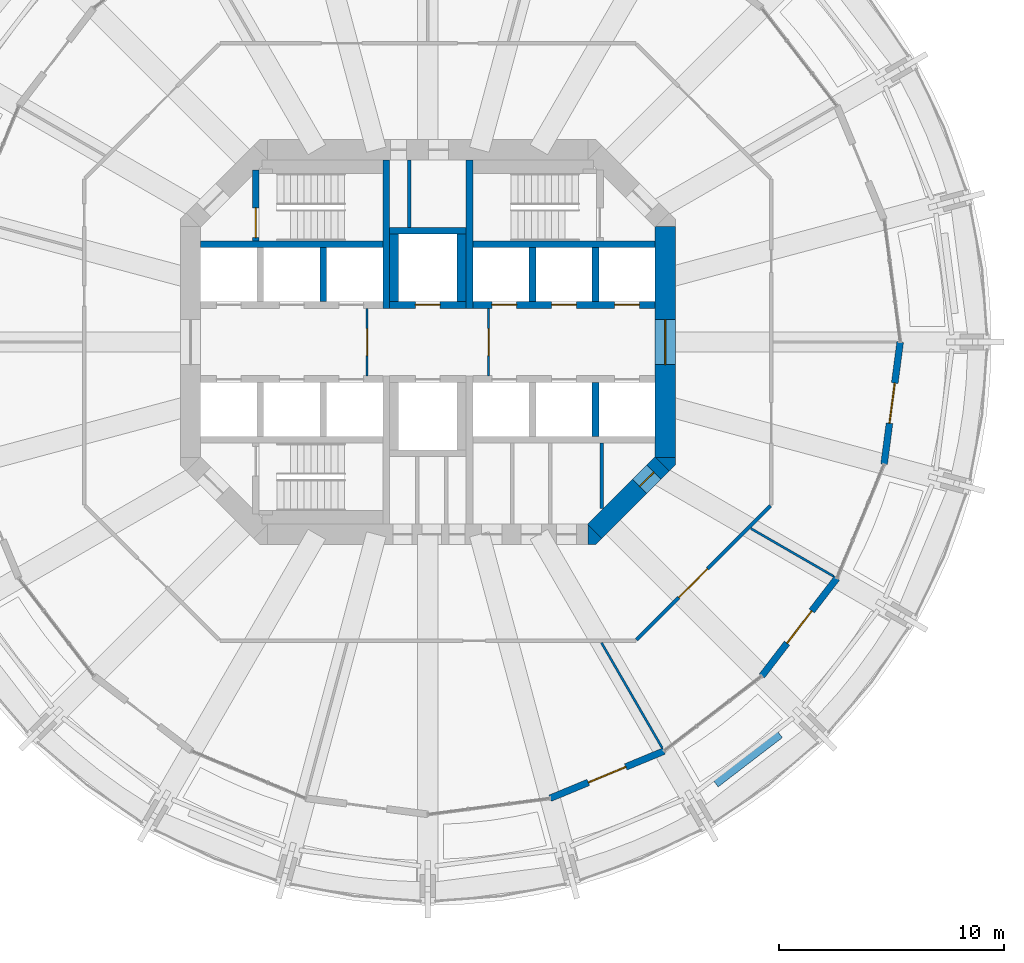
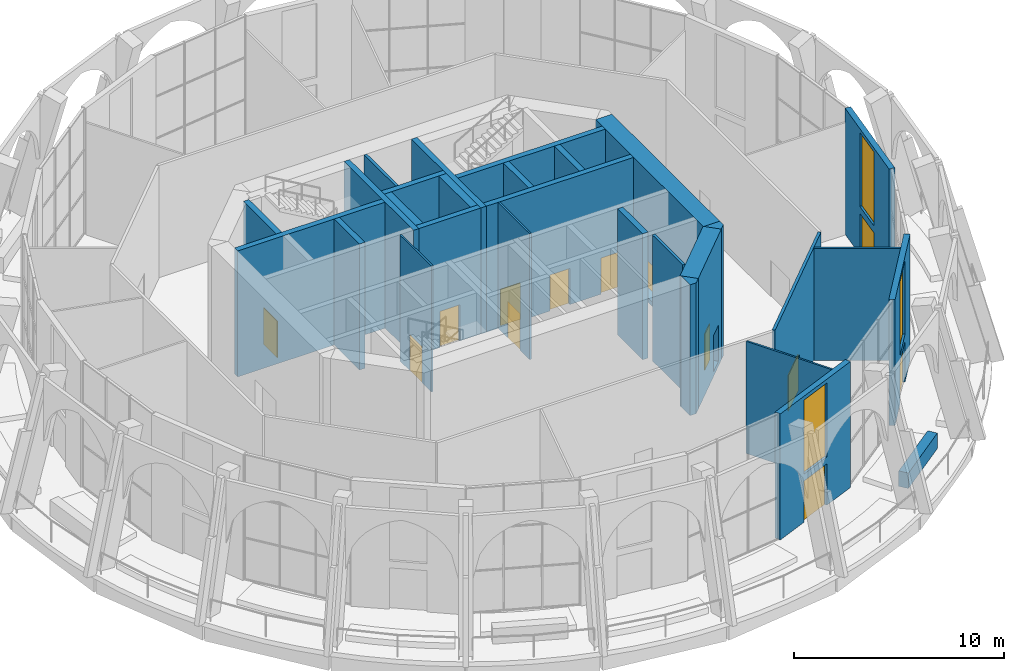
# One storey, part 13 of 18: 29 walls, 13 doors, 3 windows, 16 openings.
"""IFC4 building model written with IfcOpenShell, lengths in metres."""

import ifcopenshell
import ifcopenshell.guid

model = None  # the IFC model being written
_history = None  # IfcOwnerHistory: only IFC2X3 demands one
_inside = {}  # id of a spatial element -> (the spatial element, [elements in it])
_under = {}  # id of a project, library or spatial element -> (it, [spatial elements below it])
_declared = {}  # id of a project -> (the project, [libraries it declares])
_typed = {}  # id of a type object -> (the type object, [elements of that type])
_made_of = {}  # id of a material, layer set ... -> (it, [elements and type objects made of it])


def new_model(schema):
    """Start an empty IFC model of exactly this schema.

    Asked for "IFC4X3", IfcOpenShell would pick the latest addendum, in which some entities
    have other attributes; the version numbers below select the first issue.
    IFC2X3 requires an IfcOwnerHistory on every rooted entity: one is made here for all.
    """
    global model, _history
    if schema == "IFC4X3":
        model = ifcopenshell.file(schema_version=(4, 3, 0, 0))
    else:
        model = ifcopenshell.file(schema=schema)
    _inside.clear()
    _under.clear()
    _declared.clear()
    _typed.clear()
    _made_of.clear()
    _history = None
    if model.schema == "IFC2X3":
        org = make("IfcOrganization", Name="unknown")
        user = make(
            "IfcPersonAndOrganization",
            ThePerson=make("IfcPerson", FamilyName="unknown"),
            TheOrganization=org,
        )
        app = make(
            "IfcApplication",
            ApplicationDeveloper=org,
            Version="unknown",
            ApplicationFullName="unknown",
            ApplicationIdentifier="unknown",
        )
        _history = make(
            "IfcOwnerHistory",
            OwningUser=user,
            OwningApplication=app,
            ChangeAction="ADDED",
            CreationDate=0,
        )
    return model


def make(cls, **values):
    """One entity of the class cls with the attributes given. An attribute that is None is left unset."""
    return model.create_entity(
        cls, **{name: value for name, value in values.items() if value is not None}
    )


def rooted(cls, **values):
    """An entity with a GlobalId (a new one), such as an element, a storey or a relation."""
    return make(cls, GlobalId=ifcopenshell.guid.new(), OwnerHistory=_history, **values)


def si_unit(unit_type, name, prefix=None):
    """IfcSIUnit, for example si_unit("LENGTHUNIT", "METRE", prefix="MILLI")."""
    return make("IfcSIUnit", UnitType=unit_type, Prefix=prefix, Name=name)


def assignment(units):
    """IfcUnitAssignment: the units of a project."""
    return None if units is None else make("IfcUnitAssignment", Units=units)


def point(xyz):
    """IfcCartesianPoint."""
    return None if xyz is None else make("IfcCartesianPoint", Coordinates=xyz)


def direction(xyz):
    """IfcDirection."""
    return None if xyz is None else make("IfcDirection", DirectionRatios=xyz)


def frame(location, z_axis=None, x_axis=None):
    """IfcAxis2Placement3D, a coordinate frame: its origin and axes. An axis left out is left unset."""
    return make(
        "IfcAxis2Placement3D",
        Location=point(location),
        Axis=direction(z_axis),
        RefDirection=direction(x_axis),
    )


def frame_2d(location, x_axis=None):
    """IfcAxis2Placement2D, a coordinate frame in the plane: its origin and x axis."""
    return make(
        "IfcAxis2Placement2D", Location=point(location), RefDirection=direction(x_axis)
    )


def origin():
    """The frame at (0, 0, 0) with its axes left unset."""
    return frame((0.0, 0.0, 0.0))


def place(relative_to, where):
    """IfcLocalPlacement: puts the frame where relative to a parent placement (None: the world)."""
    return make(
        "IfcLocalPlacement", PlacementRelTo=relative_to, RelativePlacement=where
    )


def context(
    kind, dimensions, precision=None, world=None, true_north=None, identifier=None
):
    """IfcGeometricRepresentationContext, for example the 3D "Model" context."""
    return make(
        "IfcGeometricRepresentationContext",
        ContextIdentifier=identifier,
        ContextType=kind,
        CoordinateSpaceDimension=dimensions,
        Precision=precision,
        WorldCoordinateSystem=world,
        TrueNorth=true_north,
    )


def subcontext(parent, identifier, kind, view, scale=None):
    """IfcGeometricRepresentationSubContext, for example "Body" below "Model"."""
    return make(
        "IfcGeometricRepresentationSubContext",
        ContextIdentifier=identifier,
        ContextType=kind,
        ParentContext=parent,
        TargetScale=scale,
        TargetView=view,
    )


def project(units=None, contexts=None):
    """IfcProject with its units and contexts."""
    return rooted(
        "IfcProject",
        Name="project",
        RepresentationContexts=contexts,
        UnitsInContext=assignment(units),
    )


def spatial(cls, under=None, at=None, **own):
    """A site, building, storey or space (cls), placed at a placement, below another one or the project."""
    s = rooted(cls, ObjectPlacement=at, **own)
    if under is not None:
        _under.setdefault(under.id(), (under, []))[1].append(s)
    return s


def polyline(points):
    """IfcPolyline through the points."""
    return make("IfcPolyline", Points=[point(p) for p in points])


def profile(cls, at=None, kind="AREA", **sizes):
    """A parametric profile (cls). Its sizes go by their IFC names, for example OverallWidth=200.0."""
    return make(cls, ProfileType=kind, Position=at, **sizes)


def rectangle(**sizes):
    """IfcRectangleProfileDef."""
    return profile("IfcRectangleProfileDef", **sizes)


def outline(outer, holes=None, kind="AREA"):
    """IfcArbitraryClosedProfileDef: a profile drawn as a closed curve; with holes, ...WithVoids."""
    if holes is None:
        return make("IfcArbitraryClosedProfileDef", ProfileType=kind, OuterCurve=outer)
    return make(
        "IfcArbitraryProfileDefWithVoids",
        ProfileType=kind,
        OuterCurve=outer,
        InnerCurves=holes,
    )


def extrude(swept, where, along, depth):
    """IfcExtrudedAreaSolid: the profile swept, set in the frame where, extruded along a direction by depth."""
    return make(
        "IfcExtrudedAreaSolid",
        SweptArea=swept,
        Position=where,
        ExtrudedDirection=direction(along),
        Depth=depth,
    )


def shape(context_of_items, identifier, shape_type, items):
    """IfcShapeRepresentation: the items that make up one representation, for example the "Body"."""
    return make(
        "IfcShapeRepresentation",
        ContextOfItems=context_of_items,
        RepresentationIdentifier=identifier,
        RepresentationType=shape_type,
        Items=items,
    )


def material(Name=None, Category=None):
    """IfcMaterial."""
    return make("IfcMaterial", Name=Name, Category=Category)


def layer(
    of_material, thickness, ventilated=None, Name=None, Category=None, Priority=None
):
    """IfcMaterialLayer: one layer of a wall or slab, of a material (None: an air gap)."""
    return make(
        "IfcMaterialLayer",
        Material=of_material,
        LayerThickness=thickness,
        IsVentilated=ventilated,
        Name=Name,
        Category=Category,
        Priority=Priority,
    )


def layer_set(layers, Name=None):
    """IfcMaterialLayerSet."""
    return make("IfcMaterialLayerSet", MaterialLayers=layers, LayerSetName=Name)


def made_of(thing, what):
    """Note that an element or type object is made of a material, layer set ...; save() writes the relation."""
    if what is not None:
        _made_of.setdefault(what.id(), (what, []))[1].append(thing)
    return thing


def type_object(cls, material=None, **own):
    """A type object (cls), such as IfcWallType, which elements share."""
    return made_of(rooted(cls, **own), material)


def element(
    cls,
    number,
    at=None,
    inside=None,
    cuts=None,
    type_object=None,
    material=None,
    context=None,
    identifier="Body",
    shape_type=None,
    held_by="IfcProductDefinitionShape",
    body=None,
    shapes=None,
    **own,
):
    """One element of the class cls, such as IfcWall. Its Tag is "e" and its number.

    at: its placement. inside: the storey or other place that contains it. cuts: it is an
    opening in that element (IfcRelVoidsElement). A single representation is given by context,
    identifier, shape_type and body (its items); several are given by shapes. held_by: the class
    of the entity that holds the representations. save() writes the other relations.
    """
    e = rooted(cls, Tag="e%d" % number, ObjectPlacement=at, **own)
    if body is not None:
        shapes = [shape(context, identifier, shape_type, body)]
    if shapes is not None:
        e.Representation = make(held_by, Representations=shapes)
    if inside is not None:
        _inside.setdefault(inside.id(), (inside, []))[1].append(e)
    if cuts is not None:
        rooted(
            "IfcRelVoidsElement", RelatingBuildingElement=cuts, RelatedOpeningElement=e
        )
    if type_object is not None:
        _typed.setdefault(type_object.id(), (type_object, []))[1].append(e)
    return made_of(e, material)


def fill(opening, filler):
    """IfcRelFillsElement: the door or window that sits in an opening."""
    return rooted(
        "IfcRelFillsElement",
        RelatingOpeningElement=opening,
        RelatedBuildingElement=filler,
    )


def aggregate(whole, parts):
    """IfcRelAggregates: a whole, such as a stair, and the parts it consists of."""
    return rooted("IfcRelAggregates", RelatingObject=whole, RelatedObjects=parts)


def save(model, path):
    """Write the relations noted so far, then the file.

    IfcRelAggregates (storeys below a building ...), IfcRelContainedInSpatialStructure (elements
    in a storey), IfcRelDefinesByType, IfcRelAssociatesMaterial and IfcRelDeclares: one each for
    every whole, place, type object, material and project.
    """
    for whole, parts in _under.values():
        aggregate(whole, parts)
    for where, things in _inside.values():
        rooted(
            "IfcRelContainedInSpatialStructure",
            RelatedElements=things,
            RelatingStructure=where,
        )
    for kind, things in _typed.values():
        rooted("IfcRelDefinesByType", RelatedObjects=things, RelatingType=kind)
    for what, things in _made_of.values():
        rooted("IfcRelAssociatesMaterial", RelatedObjects=things, RelatingMaterial=what)
    for by, libraries in _declared.values():
        rooted("IfcRelDeclares", RelatingContext=by, RelatedDefinitions=libraries)
    model.write(path)


model = new_model("IFC4")

# Units and contexts
model_context = context("Model", 3, precision=1e-05, world=origin(), true_north=direction((0.0, 1.0)))
body_context = subcontext(model_context, "Body", "Model", "MODEL_VIEW")
ifc_project = project(units=[si_unit("LENGTHUNIT", "METRE"), si_unit("AREAUNIT", "SQUARE_METRE"), si_unit("VOLUMEUNIT", "CUBIC_METRE"), si_unit("PLANEANGLEUNIT", "RADIAN"), si_unit("MASSUNIT", "GRAM", prefix="KILO")], contexts=[model_context])

# Site, building, storey
site_placement = place(None, origin())
site = spatial("IfcSite", under=ifc_project, at=site_placement, CompositionType="ELEMENT")
building_placement = place(site_placement, origin())
building = spatial("IfcBuilding", under=site, at=building_placement, Name="Torre Triforio", CompositionType="ELEMENT")
storey_placement = place(building_placement, frame((0.0, 0.0, 146.60009765625)))
storey = spatial("IfcBuildingStorey", under=building, at=storey_placement, Name="L33", CompositionType="ELEMENT", Elevation=146.60009765625)

# Walls
ifc_material_1 = material(Name="Concrete C60", Category="concrete")
ifc_layer_1 = layer(ifc_material_1, 0.300048828125)
ifc_layer_set_1 = layer_set([ifc_layer_1], Name="Concrete C60")
wall_type_1 = type_object("IfcWallType", Name="Core wall 300 mm C60 EI 120", PredefinedType="SHEAR", material=ifc_layer_set_1)
for number, where, z_axis, x_axis, name in (
    (1, (-1.85009765625, 1.5, 0.0), (0.0, 0.0, 1.0), (0.0, 1.0, 0.0), "Core wall"),
    (2, (1.85009765625, 1.5, 0.0), (0.0, 0.0, 1.0), (0.0, 1.0, 0.0), "Core wall"),
):
    element("IfcWall", number, at=place(storey_placement, frame(where, z_axis=z_axis, x_axis=x_axis)), inside=storey, type_object=wall_type_1, Name=name, PredefinedType="SHEAR", context=body_context, shape_type="SweptSolid", body=[
        extrude(rectangle(XDim=6.60009765625, YDim=0.300048828125, at=frame_2d((3.300048828125, 0.0))), origin(), (0.0, 0.0, 1.0), 7.31982421875),
    ])

# Wall, opening, door
ifc_layer_2 = layer(ifc_material_1, 0.89990234375)
ifc_layer_set_2 = layer_set([ifc_layer_2], Name="Concrete C60")
wall_type_2 = type_object("IfcWallType", Name="Core wall 900 mm C60 EI 120", PredefinedType="SHEAR", material=ifc_layer_set_2)
wall_1_placement = place(storey_placement, frame((10.550048828125, -5.1298828125, -0.280029296875), z_axis=(0.0, 0.0, 1.0), x_axis=(0.0, 1.0, 0.0)))
wall_1 = element("IfcWall", 3, at=wall_1_placement, inside=storey, type_object=wall_type_2, Name="Core wall", PredefinedType="SHEAR", context=body_context, shape_type="SweptSolid", body=[
    extrude(rectangle(XDim=10.259765625, YDim=0.89990234375, at=frame_2d((5.1298828125, 0.0))), origin(), (0.0, 0.0, 1.0), 7.599853515625),
])
opening_1_placement = place(wall_1_placement, frame((4.1298828125, 0.0, 0.280029296875)))
opening_1 = element("IfcOpeningElement", 4, at=opening_1_placement, cuts=wall_1, Name="Opening E-RING", PredefinedType="OPENING", context=body_context, shape_type="SweptSolid", body=[
    extrude(rectangle(XDim=2.0, YDim=2.10009765625, at=frame_2d((1.0, 1.050048828125))), frame((0.0, 0.4599609375, 0.0), z_axis=(0.0, -1.0, 0.0), x_axis=(1.0, 0.0, 0.0)), (0.0, 0.0, 1.0), 0.919921875),
])
ifc_material_2 = material(Name="Hollow metal fire door leaf")
door_type_1 = type_object("IfcDoorType", Name="Lobby door 2000 x 2100 EI 60", OperationType="DOUBLE_DOOR_SINGLE_SWING", PredefinedType="DOOR", material=ifc_material_2)
door_1_placement = place(opening_1_placement, origin())
door_1 = element("IfcDoor", 5, at=door_1_placement, inside=storey, type_object=door_type_1, Name="Core door E-RING", OperationType="DOUBLE_DOOR_SINGLE_SWING", OverallHeight=2.10009765625, OverallWidth=2.0, PredefinedType="DOOR", context=body_context, shape_type="SweptSolid", body=[
    extrude(rectangle(XDim=2.0, YDim=2.10009765625, at=frame_2d((1.0, 1.050048828125))), frame((0.0, 0.02490234375, 0.0), z_axis=(0.0, -1.0, 0.0), x_axis=(1.0, 0.0, 0.0)), (0.0, 0.0, 1.0), 0.050048828125),
])
fill(opening_1, door_1)

wall_2_placement = place(storey_placement, frame((10.418212890625, -5.418212890625, -0.280029296875), z_axis=(0.0, 0.0, 1.0), x_axis=(-0.707106781187, -0.707106781187, 0.0)))
wall_2 = element("IfcWall", 6, at=wall_2_placement, inside=storey, type_object=wall_type_2, Name="Core wall", PredefinedType="SHEAR", context=body_context, shape_type="SweptSolid", body=[
    extrude(rectangle(XDim=4.24267578125, YDim=0.89990234375, at=frame_2d((2.121337890625, 0.0))), origin(), (0.0, 0.0, 1.0), 7.599853515625),
])
opening_2_placement = place(wall_2_placement, frame((0.52001953125, 0.0, 0.280029296875)))
opening_2 = element("IfcOpeningElement", 7, at=opening_2_placement, cuts=wall_2, Name="Opening SE-04", PredefinedType="OPENING", context=body_context, shape_type="SweptSolid", body=[
    extrude(rectangle(XDim=0.89990234375, YDim=2.10009765625, at=frame_2d((0.449951171875, 1.050048828125))), frame((0.0, 0.4599609375, 0.0), z_axis=(0.0, -1.0, 0.0), x_axis=(1.0, 0.0, 0.0)), (0.0, 0.0, 1.0), 0.919921875),
])
door_type_2 = type_object("IfcDoorType", Name="Room door 900 x 2100 EI 60", OperationType="NOTDEFINED", PredefinedType="DOOR", material=ifc_material_2)
door_2_placement = place(opening_2_placement, origin())
door_2 = element("IfcDoor", 8, at=door_2_placement, inside=storey, type_object=door_type_2, Name="Core door SE-04", OperationType="SINGLE_SWING_LEFT", OverallHeight=2.10009765625, OverallWidth=0.89990234375, PredefinedType="DOOR", context=body_context, shape_type="SweptSolid", body=[
    extrude(rectangle(XDim=0.89990234375, YDim=2.10009765625, at=frame_2d((0.449951171875, 1.050048828125))), frame((0.0, 0.02490234375, 0.0), z_axis=(0.0, -1.0, 0.0), x_axis=(1.0, 0.0, 0.0)), (0.0, 0.0, 1.0), 0.050048828125),
])
fill(opening_2, door_2)

# Walls
wall_3_placement = place(storey_placement, frame((0.0, 0.0, -0.280029296875)))
element("IfcWall", 9, at=wall_3_placement, inside=storey, type_object=wall_type_2, Name="Core wall", PredefinedType="SHEAR", context=body_context, shape_type="SweptSolid", body=[
    extrude(outline(polyline([(7.472900390625, -9.0), (7.1298828125, -9.0), (7.1298828125, -8.1298828125), (7.736328125, -8.736328125), (7.472900390625, -9.0)])), origin(), (0.0, 0.0, 1.0), 7.599853515625),
])
wall_4_placement = place(storey_placement, frame((0.0, 0.0, -0.280029296875)))
element("IfcWall", 10, at=wall_4_placement, inside=storey, type_object=wall_type_2, Name="Core wall", PredefinedType="SHEAR", context=body_context, shape_type="SweptSolid", body=[
    extrude(outline(polyline([(11.0, -5.472900390625), (10.736328125, -5.736328125), (10.1298828125, -5.1298828125), (11.0, -5.1298828125), (11.0, -5.472900390625)])), origin(), (0.0, 0.0, 1.0), 7.599853515625),
])

# Wall, opening, door
ifc_material_3 = material(Name="Plasterboard on metal studs")
ifc_layer_3 = layer(ifc_material_3, 0.14990234375)
ifc_layer_set_3 = layer_set([ifc_layer_3], Name="Plasterboard on metal studs")
wall_type_3 = type_object("IfcWallType", Name="Corridor and tenancy wall 150 mm EI 60", PredefinedType="PARTITIONING", material=ifc_layer_set_3)
wall_5_placement = place(storey_placement, frame((15.23779296875, -7.28076171875, 0.0), z_axis=(0.0, 0.0, 1.0), x_axis=(-0.707106781187, -0.707106781187, 0.0)))
wall_5 = element("IfcWall", 11, at=wall_5_placement, inside=storey, type_object=wall_type_3, Name="Partition 1", PredefinedType="PARTITIONING", context=body_context, shape_type="SweptSolid", body=[
    extrude(rectangle(XDim=8.424560546875, YDim=0.14990234375, at=frame_2d((4.21240234375, 0.0))), origin(), (0.0, 0.0, 1.0), 6.52001953125),
])
opening_3_placement = place(wall_5_placement, frame((3.966552734375, 0.0, 0.0)))
opening_3 = element("IfcOpeningElement", 12, at=opening_3_placement, cuts=wall_5, Name="Opening G2-09", PredefinedType="OPENING", context=body_context, shape_type="SweptSolid", body=[
    extrude(rectangle(XDim=1.800048828125, YDim=2.10009765625, at=frame_2d((0.89990234375, 1.050048828125))), frame((0.0, 0.0849609375, 0.0), z_axis=(0.0, -1.0, 0.0), x_axis=(1.0, 0.0, 0.0)), (0.0, 0.0, 1.0), 0.169921875),
])
ifc_material_4 = material(Name="Timber", Category="wood")
door_type_3 = type_object("IfcDoorType", Name="Door 1800 x 2100 double leaf EI 30", OperationType="DOUBLE_DOOR_SINGLE_SWING", PredefinedType="DOOR", material=ifc_material_4)
door_3_placement = place(opening_3_placement, origin())
door_3 = element("IfcDoor", 13, at=door_3_placement, inside=storey, type_object=door_type_3, Name="Door G2-09", OperationType="DOUBLE_DOOR_SINGLE_SWING", OverallHeight=2.10009765625, OverallWidth=1.800048828125, PredefinedType="DOOR", context=body_context, shape_type="SweptSolid", body=[
    extrude(rectangle(XDim=1.800048828125, YDim=2.10009765625, at=frame_2d((0.89990234375, 1.050048828125))), frame((0.0, 0.02490234375, 0.0), z_axis=(0.0, -1.0, 0.0), x_axis=(1.0, 0.0, 0.0)), (0.0, 0.0, 1.0), 0.050048828125),
])
fill(opening_3, door_3)

ifc_material_5 = material(Name="Block and board partition")
ifc_layer_4 = layer(ifc_material_5, 0.10009765625)
ifc_layer_set_4 = layer_set([ifc_layer_4], Name="Block and board partition")
wall_type_4 = type_object("IfcWallType", Name="Partition 100 mm EI 120", PredefinedType="PARTITIONING", material=ifc_layer_set_4)
wall_6_placement = place(storey_placement, frame((-2.699951171875, -1.5, 0.0), z_axis=(0.0, 0.0, 1.0), x_axis=(0.0, 1.0, 0.0)))
wall_6 = element("IfcWall", 14, at=wall_6_placement, inside=storey, type_object=wall_type_4, Name="Partition", PredefinedType="PARTITIONING", context=body_context, shape_type="SweptSolid", body=[
    extrude(rectangle(XDim=3.0, YDim=0.10009765625, at=frame_2d((1.5, 0.0))), origin(), (0.0, 0.0, 1.0), 7.31982421875),
])
opening_4_placement = place(wall_6_placement, frame((0.89990234375, 0.0, 0.0)))
opening_4 = element("IfcOpeningElement", 15, at=opening_4_placement, cuts=wall_6, Name="Opening FF-W", PredefinedType="OPENING", context=body_context, shape_type="SweptSolid", body=[
    extrude(rectangle(XDim=1.199951171875, YDim=2.10009765625, at=frame_2d((0.60009765625, 1.050048828125))), frame((0.0, 0.06005859375, 0.0), z_axis=(0.0, -1.0, 0.0), x_axis=(1.0, 0.0, 0.0)), (0.0, 0.0, 1.0), 0.1201171875),
])
door_type_4 = type_object("IfcDoorType", Name="Fire-fighting lobby door 1200 x 2100 EI 60", OperationType="NOTDEFINED", PredefinedType="DOOR", material=ifc_material_2)
door_4_placement = place(opening_4_placement, origin())
door_4 = element("IfcDoor", 16, at=door_4_placement, inside=storey, type_object=door_type_4, Name="Core door FF-W", OperationType="SINGLE_SWING_LEFT", OverallHeight=2.10009765625, OverallWidth=1.199951171875, PredefinedType="DOOR", context=body_context, shape_type="SweptSolid", body=[
    extrude(rectangle(XDim=1.199951171875, YDim=2.10009765625, at=frame_2d((0.60009765625, 1.050048828125))), frame((0.0, 0.02490234375, 0.0), z_axis=(0.0, -1.0, 0.0), x_axis=(1.0, 0.0, 0.0)), (0.0, 0.0, 1.0), 0.050048828125),
])
fill(opening_4, door_4)

wall_7_placement = place(storey_placement, frame((2.699951171875, -1.5, 0.0), z_axis=(0.0, 0.0, 1.0), x_axis=(0.0, 1.0, 0.0)))
wall_7 = element("IfcWall", 17, at=wall_7_placement, inside=storey, type_object=wall_type_4, Name="Partition", PredefinedType="PARTITIONING", context=body_context, shape_type="SweptSolid", body=[
    extrude(rectangle(XDim=3.0, YDim=0.10009765625, at=frame_2d((1.5, 0.0))), origin(), (0.0, 0.0, 1.0), 7.31982421875),
])
opening_5_placement = place(wall_7_placement, frame((0.89990234375, 0.0, 0.0)))
opening_5 = element("IfcOpeningElement", 18, at=opening_5_placement, cuts=wall_7, Name="Opening FF-E", PredefinedType="OPENING", context=body_context, shape_type="SweptSolid", body=[
    extrude(rectangle(XDim=1.199951171875, YDim=2.10009765625, at=frame_2d((0.60009765625, 1.050048828125))), frame((0.0, 0.06005859375, 0.0), z_axis=(0.0, -1.0, 0.0), x_axis=(1.0, 0.0, 0.0)), (0.0, 0.0, 1.0), 0.1201171875),
])
door_5_placement = place(opening_5_placement, origin())
door_5 = element("IfcDoor", 19, at=door_5_placement, inside=storey, type_object=door_type_4, Name="Core door FF-E", OperationType="SINGLE_SWING_LEFT", OverallHeight=2.10009765625, OverallWidth=1.199951171875, PredefinedType="DOOR", context=body_context, shape_type="SweptSolid", body=[
    extrude(rectangle(XDim=1.199951171875, YDim=2.10009765625, at=frame_2d((0.60009765625, 1.050048828125))), frame((0.0, 0.02490234375, 0.0), z_axis=(0.0, -1.0, 0.0), x_axis=(1.0, 0.0, 0.0)), (0.0, 0.0, 1.0), 0.050048828125),
])
fill(opening_5, door_5)

# Walls
ifc_layer_5 = layer(ifc_material_3, 0.10009765625)
ifc_layer_set_5 = layer_set([ifc_layer_5], Name="Plasterboard on metal studs")
wall_type_5 = type_object("IfcWallType", Name="Partition 100 mm board on metal studs", PredefinedType="PARTITIONING", material=ifc_layer_set_5)
wall_8_placement = place(storey_placement, frame((7.7216796875, -13.37451171875, 0.0), z_axis=(0.0, 0.0, 1.0), x_axis=(0.500024172624, -0.866011447264, 0.0)))
element("IfcWall", 20, at=wall_8_placement, inside=storey, type_object=wall_type_5, Name="Partition 18", PredefinedType="PARTITIONING", context=body_context, shape_type="SweptSolid", body=[
    extrude(rectangle(XDim=5.393310546875, YDim=0.10009765625, at=frame_2d((2.69677734375, 0.0))), origin(), (0.0, 0.0, 1.0), 6.52001953125),
])
wall_9_placement = place(storey_placement, frame((14.356201171875, -8.28857421875, 0.0), z_axis=(0.0, 0.0, 1.0), x_axis=(0.866019511163, -0.500010206181, 0.0)))
element("IfcWall", 21, at=wall_9_placement, inside=storey, type_object=wall_type_5, Name="Partition 19", PredefinedType="PARTITIONING", context=body_context, shape_type="SweptSolid", body=[
    extrude(rectangle(XDim=4.259765625, YDim=0.10009765625, at=frame_2d((2.1298828125, 0.0))), origin(), (0.0, 0.0, 1.0), 6.52001953125),
])
ifc_layer_6 = layer(ifc_material_5, 0.14990234375)
ifc_layer_set_6 = layer_set([ifc_layer_6], Name="Block and board partition")
wall_type_6 = type_object("IfcWallType", Name="Partition 150 mm", PredefinedType="PARTITIONING", material=ifc_layer_set_6)
wall_10_placement = place(storey_placement, frame((7.72998046875, -7.39501953125, 0.0), z_axis=(0.0, 0.0, 1.0), x_axis=(0.0, 1.0, 0.0)))
element("IfcWall", 22, at=wall_10_placement, inside=storey, type_object=wall_type_6, Name="Partition", PredefinedType="PARTITIONING", context=body_context, shape_type="SweptSolid", body=[
    extrude(rectangle(XDim=2.89501953125, YDim=0.14990234375, at=frame_2d((1.447509765625, 0.0))), origin(), (0.0, 0.0, 1.0), 7.31982421875),
])
ifc_layer_7 = layer(ifc_material_5, 0.14990234375)
ifc_layer_set_7 = layer_set([ifc_layer_7], Name="Block and board partition")
wall_type_7 = type_object("IfcWallType", Name="Partition 150 mm EI 120", PredefinedType="PARTITIONING", material=ifc_layer_set_7)
wall_11_placement = place(storey_placement, frame((-0.824951171875, 5.10009765625, 0.0), z_axis=(0.0, 0.0, 1.0), x_axis=(0.0, 1.0, 0.0)))
element("IfcWall", 23, at=wall_11_placement, inside=storey, type_object=wall_type_7, Name="Partition", PredefinedType="PARTITIONING", context=body_context, shape_type="SweptSolid", body=[
    extrude(rectangle(XDim=3.0, YDim=0.14990234375, at=frame_2d((1.5, 0.0))), origin(), (0.0, 0.0, 1.0), 7.31982421875),
])
ifc_material_6 = material(Name="Limestone cladding", Category="masonry")
ifc_layer_8 = layer(ifc_material_6, 0.10009765625)
ifc_material_7 = material(Name="Concrete C40", Category="concrete")
ifc_layer_9 = layer(ifc_material_7, 0.39990234375)
ifc_layer_set_8 = layer_set([ifc_layer_8, ifc_layer_9], Name="Limestone cladding / Concrete C40")
wall_type_8 = type_object("IfcWallType", Name="Planter wall 500", PredefinedType="PARAPET", material=ifc_layer_set_8)
wall_12_placement = place(storey_placement, frame((12.756103515625, -19.580810546875, 0.0), z_axis=(0.0, 0.0, 1.0), x_axis=(0.793384730612, 0.608720518162, 0.0)))
element("IfcWall", 24, at=wall_12_placement, inside=storey, type_object=wall_type_8, Name="Planter L33 bay 21", PredefinedType="PARAPET", context=body_context, shape_type="SweptSolid", body=[
    extrude(rectangle(XDim=3.60009765625, YDim=0.5, at=frame_2d((1.800048828125, 0.0))), origin(), (0.0, 0.0, 1.0), 0.89990234375),
])
ifc_layer_10 = layer(ifc_material_1, 0.300048828125)
ifc_layer_set_9 = layer_set([ifc_layer_10], Name="Concrete C60")
wall_type_9 = type_object("IfcWallType", Name="Shaft wall 300 mm C60 EI 120", PredefinedType="SOLIDWALL", material=ifc_layer_set_9)
for number, where, z_axis, x_axis, name in (
    (25, (-10.10009765625, 4.35009765625, 0.0), (0.0, 0.0, 1.0), (1.0, 0.0, 0.0), "Shaft wall"),
    (26, (2.0, 4.35009765625, 0.0), (0.0, 0.0, 1.0), (1.0, 0.0, 0.0), "Shaft wall"),
):
    element("IfcWall", number, at=place(storey_placement, frame(where, z_axis=z_axis, x_axis=x_axis)), inside=storey, type_object=wall_type_9, Name=name, PredefinedType="SOLIDWALL", context=body_context, shape_type="SweptSolid", body=[
        extrude(rectangle(XDim=8.10009765625, YDim=0.300048828125, at=frame_2d((4.050048828125, 0.0))), origin(), (0.0, 0.0, 1.0), 7.31982421875),
    ])

# Wall, openings, doors
wall_13_placement = place(storey_placement, frame((2.0, 1.64990234375, 0.0), z_axis=(0.0, 0.0, 1.0), x_axis=(1.0, 0.0, 0.0)))
wall_13 = element("IfcWall", 27, at=wall_13_placement, inside=storey, type_object=wall_type_9, Name="Shaft wall", PredefinedType="SOLIDWALL", context=body_context, shape_type="SweptSolid", body=[
    extrude(rectangle(XDim=8.10009765625, YDim=0.300048828125, at=frame_2d((4.050048828125, 0.0))), origin(), (0.0, 0.0, 1.0), 7.31982421875),
])
opening_6_placement = place(wall_13_placement, frame((0.85009765625, 0.0, 0.0)))
opening_6 = element("IfcOpeningElement", 28, at=opening_6_placement, cuts=wall_13, Name="Opening LD", PredefinedType="OPENING", context=body_context, shape_type="SweptSolid", body=[
    extrude(rectangle(XDim=1.10009765625, YDim=2.10009765625, at=frame_2d((0.550048828125, 1.050048828125))), frame((0.0, 0.159912109375, 0.0), z_axis=(0.0, -1.0, 0.0), x_axis=(1.0, 0.0, 0.0)), (0.0, 0.0, 1.0), 0.320068359375),
])
opening_7_placement = place(wall_13_placement, frame((3.5, 0.0, 0.0)))
opening_7 = element("IfcOpeningElement", 29, at=opening_7_placement, cuts=wall_13, Name="Opening LD", PredefinedType="OPENING", context=body_context, shape_type="SweptSolid", body=[
    extrude(rectangle(XDim=1.10009765625, YDim=2.10009765625, at=frame_2d((0.550048828125, 1.050048828125))), frame((0.0, 0.159912109375, 0.0), z_axis=(0.0, -1.0, 0.0), x_axis=(1.0, 0.0, 0.0)), (0.0, 0.0, 1.0), 0.320068359375),
])
opening_8_placement = place(wall_13_placement, frame((6.300048828125, 0.0, 0.0)))
opening_8 = element("IfcOpeningElement", 30, at=opening_8_placement, cuts=wall_13, Name="Opening LD", PredefinedType="OPENING", context=body_context, shape_type="SweptSolid", body=[
    extrude(rectangle(XDim=1.10009765625, YDim=2.10009765625, at=frame_2d((0.550048828125, 1.050048828125))), frame((0.0, 0.159912109375, 0.0), z_axis=(0.0, -1.0, 0.0), x_axis=(1.0, 0.0, 0.0)), (0.0, 0.0, 1.0), 0.320068359375),
])
door_type_5 = type_object("IfcDoorType", Name="Landing door 1100 x 2100 EI 60", OperationType="DOUBLE_DOOR_SLIDING", PredefinedType="DOOR", material=ifc_material_2)
door_6_placement = place(opening_6_placement, origin())
door_6 = element("IfcDoor", 31, at=door_6_placement, inside=storey, type_object=door_type_5, Name="Landing door HR1", OperationType="DOUBLE_DOOR_SLIDING", OverallHeight=2.10009765625, OverallWidth=1.10009765625, PredefinedType="DOOR", context=body_context, shape_type="SweptSolid", body=[
    extrude(rectangle(XDim=1.10009765625, YDim=2.10009765625, at=frame_2d((0.550048828125, 1.050048828125))), frame((0.0, 0.02490234375, 0.0), z_axis=(0.0, -1.0, 0.0), x_axis=(1.0, 0.0, 0.0)), (0.0, 0.0, 1.0), 0.050048828125),
])
fill(opening_6, door_6)
door_7_placement = place(opening_7_placement, origin())
door_7 = element("IfcDoor", 32, at=door_7_placement, inside=storey, type_object=door_type_5, Name="Landing door HR2", OperationType="DOUBLE_DOOR_SLIDING", OverallHeight=2.10009765625, OverallWidth=1.10009765625, PredefinedType="DOOR", context=body_context, shape_type="SweptSolid", body=[
    extrude(rectangle(XDim=1.10009765625, YDim=2.10009765625, at=frame_2d((0.550048828125, 1.050048828125))), frame((0.0, 0.02490234375, 0.0), z_axis=(0.0, -1.0, 0.0), x_axis=(1.0, 0.0, 0.0)), (0.0, 0.0, 1.0), 0.050048828125),
])
fill(opening_7, door_7)
door_8_placement = place(opening_8_placement, origin())
door_8 = element("IfcDoor", 33, at=door_8_placement, inside=storey, type_object=door_type_5, Name="Landing door HR3", OperationType="DOUBLE_DOOR_SLIDING", OverallHeight=2.10009765625, OverallWidth=1.10009765625, PredefinedType="DOOR", context=body_context, shape_type="SweptSolid", body=[
    extrude(rectangle(XDim=1.10009765625, YDim=2.10009765625, at=frame_2d((0.550048828125, 1.050048828125))), frame((0.0, 0.02490234375, 0.0), z_axis=(0.0, -1.0, 0.0), x_axis=(1.0, 0.0, 0.0)), (0.0, 0.0, 1.0), 0.050048828125),
])
fill(opening_8, door_8)

# Walls
for number, where, z_axis, x_axis, name in (
    (34, (-4.64990234375, 1.800048828125, 0.0), (0.0, 0.0, 1.0), (0.0, 1.0, 0.0), "Shaft wall"),
    (35, (4.64990234375, 1.800048828125, 0.0), (0.0, 0.0, 1.0), (0.0, 1.0, 0.0), "Shaft wall"),
    (36, (7.449951171875, 1.800048828125, 0.0), (0.0, 0.0, 1.0), (0.0, 1.0, 0.0), "Shaft wall"),
    (37, (7.449951171875, -4.199951171875, 0.0), (0.0, 0.0, 1.0), (0.0, 1.0, 0.0), "Shaft wall"),
):
    element("IfcWall", number, at=place(storey_placement, frame(where, z_axis=z_axis, x_axis=x_axis)), inside=storey, type_object=wall_type_9, Name=name, PredefinedType="SOLIDWALL", context=body_context, shape_type="SweptSolid", body=[
        extrude(rectangle(XDim=2.39990234375, YDim=0.300048828125, at=frame_2d((1.199951171875, 0.0))), origin(), (0.0, 0.0, 1.0), 7.31982421875),
    ])

# Wall, opening, door
wall_14_placement = place(storey_placement, frame((-1.699951171875, 1.64990234375, 0.0), z_axis=(0.0, 0.0, 1.0), x_axis=(1.0, 0.0, 0.0)))
wall_14 = element("IfcWall", 38, at=wall_14_placement, inside=storey, type_object=wall_type_9, Name="Shaft wall", PredefinedType="SOLIDWALL", context=body_context, shape_type="SweptSolid", body=[
    extrude(rectangle(XDim=3.39990234375, YDim=0.300048828125, at=frame_2d((1.699951171875, 0.0))), origin(), (0.0, 0.0, 1.0), 7.31982421875),
])
opening_9_placement = place(wall_14_placement, frame((1.14990234375, 0.0, 0.0)))
opening_9 = element("IfcOpeningElement", 39, at=opening_9_placement, cuts=wall_14, Name="Opening LD", PredefinedType="OPENING", context=body_context, shape_type="SweptSolid", body=[
    extrude(rectangle(XDim=1.10009765625, YDim=2.10009765625, at=frame_2d((0.550048828125, 1.050048828125))), frame((0.0, 0.159912109375, 0.0), z_axis=(0.0, -1.0, 0.0), x_axis=(1.0, 0.0, 0.0)), (0.0, 0.0, 1.0), 0.320068359375),
])
door_9_placement = place(opening_9_placement, origin())
door_9 = element("IfcDoor", 40, at=door_9_placement, inside=storey, type_object=door_type_5, Name="Landing door FFL1", OperationType="DOUBLE_DOOR_SLIDING", OverallHeight=2.10009765625, OverallWidth=1.10009765625, PredefinedType="DOOR", context=body_context, shape_type="SweptSolid", body=[
    extrude(rectangle(XDim=1.10009765625, YDim=2.10009765625, at=frame_2d((0.550048828125, 1.050048828125))), frame((0.0, 0.02490234375, 0.0), z_axis=(0.0, -1.0, 0.0), x_axis=(1.0, 0.0, 0.0)), (0.0, 0.0, 1.0), 0.050048828125),
])
fill(opening_9, door_9)

# Walls
wall_15_placement = place(storey_placement, frame((-1.699951171875, 4.949951171875, 0.0), z_axis=(0.0, 0.0, 1.0), x_axis=(1.0, 0.0, 0.0)))
element("IfcWall", 41, at=wall_15_placement, inside=storey, type_object=wall_type_9, Name="Shaft wall", PredefinedType="SOLIDWALL", context=body_context, shape_type="SweptSolid", body=[
    extrude(rectangle(XDim=3.39990234375, YDim=0.300048828125, at=frame_2d((1.699951171875, 0.0))), origin(), (0.0, 0.0, 1.0), 7.31982421875),
])
ifc_layer_11 = layer(ifc_material_1, 0.39990234375)
ifc_layer_set_10 = layer_set([ifc_layer_11], Name="Concrete C60")
wall_type_10 = type_object("IfcWallType", Name="Shaft wall 400 mm C60 EI 120", PredefinedType="SOLIDWALL", material=ifc_layer_set_10)
for number, where, z_axis, x_axis, name in (
    (42, (-1.5, 1.800048828125, 0.0), (0.0, 0.0, 1.0), (0.0, 1.0, 0.0), "Shaft wall"),
    (43, (1.5, 1.800048828125, 0.0), (0.0, 0.0, 1.0), (0.0, 1.0, 0.0), "Shaft wall"),
):
    element("IfcWall", number, at=place(storey_placement, frame(where, z_axis=z_axis, x_axis=x_axis)), inside=storey, type_object=wall_type_10, Name=name, PredefinedType="SOLIDWALL", context=body_context, shape_type="SweptSolid", body=[
        extrude(rectangle(XDim=3.0, YDim=0.39990234375, at=frame_2d((1.5, 0.0))), origin(), (0.0, 0.0, 1.0), 7.31982421875),
    ])

# Wall, opening, door
ifc_layer_12 = layer(ifc_material_1, 0.300048828125)
ifc_layer_set_11 = layer_set([ifc_layer_12], Name="Concrete C60")
wall_type_11 = type_object("IfcWallType", Name="Stair wall 300 mm C60 EI 120", PredefinedType="SHEAR", material=ifc_layer_set_11)
wall_16_placement = place(storey_placement, frame((-7.64990234375, 4.5, 0.0), z_axis=(0.0, 0.0, 1.0), x_axis=(0.0, 1.0, 0.0)))
wall_16 = element("IfcWall", 44, at=wall_16_placement, inside=storey, type_object=wall_type_11, Name="Stair wall", PredefinedType="SHEAR", context=body_context, shape_type="SweptSolid", body=[
    extrude(rectangle(XDim=3.139892578125, YDim=0.300048828125, at=frame_2d((1.56982421875, 0.0))), origin(), (0.0, 0.0, 1.0), 7.31982421875),
])
opening_10_placement = place(wall_16_placement, frame((0.139892578125, 0.0, 0.0)))
opening_10 = element("IfcOpeningElement", 45, at=opening_10_placement, cuts=wall_16, Name="Opening ST1-STA", PredefinedType="OPENING", context=body_context, shape_type="SweptSolid", body=[
    extrude(rectangle(XDim=1.320068359375, YDim=2.10009765625, at=frame_2d((0.66015625, 1.050048828125))), frame((0.0, 0.159912109375, 0.0), z_axis=(0.0, -1.0, 0.0), x_axis=(1.0, 0.0, 0.0)), (0.0, 0.0, 1.0), 0.320068359375),
])
door_type_6 = type_object("IfcDoorType", Name="Stair door 1320 x 2100 EI 90", OperationType="DOUBLE_DOOR_SINGLE_SWING", PredefinedType="DOOR", material=ifc_material_2)
door_10_placement = place(opening_10_placement, origin())
door_10 = element("IfcDoor", 46, at=door_10_placement, inside=storey, type_object=door_type_6, Name="Core door ST1-ST", OperationType="DOUBLE_DOOR_SINGLE_SWING", OverallHeight=2.10009765625, OverallWidth=1.320068359375, PredefinedType="DOOR", context=body_context, shape_type="SweptSolid", body=[
    extrude(rectangle(XDim=1.320068359375, YDim=2.10009765625, at=frame_2d((0.66015625, 1.050048828125))), frame((0.0, 0.02490234375, 0.0), z_axis=(0.0, -1.0, 0.0), x_axis=(1.0, 0.0, 0.0)), (0.0, 0.0, 1.0), 0.050048828125),
])
fill(opening_10, door_10)

# Wall, openings, window, door
ifc_layer_13 = layer(ifc_material_6, 0.10009765625)
ifc_layer_14 = layer(ifc_material_7, 0.199951171875)
ifc_layer_set_12 = layer_set([ifc_layer_13, ifc_layer_14], Name="Limestone cladding / Concrete C40")
wall_type_12 = type_object("IfcWallType", Name="Stone-faced composite wall 300", PredefinedType="STANDARD", material=ifc_layer_set_12)
wall_17_placement = place(storey_placement, frame((5.435302734375, -20.284423828125, 0.0), z_axis=(0.0, 0.0, 1.0), x_axis=(0.923877333662, 0.382688740813, 0.0)))
wall_17 = element("IfcWall", 47, at=wall_17_placement, inside=storey, type_object=wall_type_12, Name="External wall L33 bay 20", PredefinedType="STANDARD", context=body_context, shape_type="SweptSolid", body=[
    extrude(rectangle(XDim=5.48193359375, YDim=0.300048828125, at=frame_2d((2.740966796875, 0.0))), origin(), (0.0, 0.0, 1.0), 7.31982421875),
])
opening_11_placement = place(wall_17_placement, frame((1.841064453125, 0.0, 0.0)))
opening_11 = element("IfcOpeningElement", 48, at=opening_11_placement, cuts=wall_17, Name="Opening G2-D20", PredefinedType="OPENING", context=body_context, shape_type="SweptSolid", body=[
    extrude(rectangle(XDim=1.800048828125, YDim=2.39990234375, at=frame_2d((0.89990234375, 1.199951171875))), frame((0.0, 0.159912109375, 0.0), z_axis=(0.0, -1.0, 0.0), x_axis=(1.0, 0.0, 0.0)), (0.0, 0.0, 1.0), 0.320068359375),
])
opening_12_placement = place(wall_17_placement, frame((1.841064453125, 0.0, 2.800048828125)))
opening_12 = element("IfcOpeningElement", 49, at=opening_12_placement, cuts=wall_17, Name="Opening G2-W20", PredefinedType="OPENING", context=body_context, shape_type="SweptSolid", body=[
    extrude(rectangle(XDim=1.800048828125, YDim=4.300048828125, at=frame_2d((0.89990234375, 2.14990234375))), frame((0.0, 0.159912109375, 0.0), z_axis=(0.0, -1.0, 0.0), x_axis=(1.0, 0.0, 0.0)), (0.0, 0.0, 1.0), 0.320068359375),
])
ifc_material_8 = material(Name="Aluminium frame with clear double glazing", Category="aluminium")
window_type = type_object("IfcWindowType", Name="Garden clerestory window 1800 x 4300", PartitioningType="DOUBLE_PANEL_VERTICAL", PredefinedType="WINDOW", material=ifc_material_8)
window_1_placement = place(opening_12_placement, origin())
window_1 = element("IfcWindow", 50, at=window_1_placement, inside=storey, type_object=window_type, Name="Clerestory EWN21 L33 bay 20", OverallHeight=4.300048828125, OverallWidth=1.800048828125, PartitioningType="SINGLE_PANEL", PredefinedType="WINDOW", context=body_context, shape_type="SweptSolid", body=[
    extrude(rectangle(XDim=1.800048828125, YDim=4.300048828125, at=frame_2d((0.89990234375, 2.14990234375))), frame((0.0, 0.030029296875, 0.0), z_axis=(0.0, -1.0, 0.0), x_axis=(1.0, 0.0, 0.0)), (0.0, 0.0, 1.0), 0.06005859375),
])
fill(opening_12, window_1)
door_type_7 = type_object("IfcDoorType", Name="Terrace double door 1800 x 2400", OperationType="DOUBLE_DOOR_SINGLE_SWING", PredefinedType="DOOR", material=ifc_material_8)
door_11_placement = place(opening_11_placement, origin())
door_11 = element("IfcDoor", 51, at=door_11_placement, inside=storey, type_object=door_type_7, Name="Terrace door L33 bay 20", OperationType="SINGLE_SWING_LEFT", OverallHeight=2.39990234375, OverallWidth=1.800048828125, PredefinedType="DOOR", context=body_context, shape_type="SweptSolid", body=[
    extrude(rectangle(XDim=1.800048828125, YDim=2.39990234375, at=frame_2d((0.89990234375, 1.199951171875))), frame((0.0, 0.02490234375, 0.0), z_axis=(0.0, -1.0, 0.0), x_axis=(1.0, 0.0, 0.0)), (0.0, 0.0, 1.0), 0.050048828125),
])
fill(opening_11, door_11)

wall_18_placement = place(storey_placement, frame((14.84912109375, -14.84912109375, 0.0), z_axis=(0.0, 0.0, 1.0), x_axis=(0.608784891166, 0.793335336593, 0.0)))
wall_18 = element("IfcWall", 52, at=wall_18_placement, inside=storey, type_object=wall_type_12, Name="External wall L33 bay 22", PredefinedType="STANDARD", context=body_context, shape_type="SweptSolid", body=[
    extrude(rectangle(XDim=5.482177734375, YDim=0.300048828125, at=frame_2d((2.7412109375, 0.0))), origin(), (0.0, 0.0, 1.0), 7.31982421875),
])
opening_13_placement = place(wall_18_placement, frame((1.841064453125, 0.0, 0.0)))
opening_13 = element("IfcOpeningElement", 53, at=opening_13_placement, cuts=wall_18, Name="Opening G2-D22", PredefinedType="OPENING", context=body_context, shape_type="SweptSolid", body=[
    extrude(rectangle(XDim=1.800048828125, YDim=2.39990234375, at=frame_2d((0.89990234375, 1.199951171875))), frame((0.0, 0.159912109375, 0.0), z_axis=(0.0, -1.0, 0.0), x_axis=(1.0, 0.0, 0.0)), (0.0, 0.0, 1.0), 0.320068359375),
])
opening_14_placement = place(wall_18_placement, frame((1.841064453125, 0.0, 2.800048828125)))
opening_14 = element("IfcOpeningElement", 54, at=opening_14_placement, cuts=wall_18, Name="Opening G2-W22", PredefinedType="OPENING", context=body_context, shape_type="SweptSolid", body=[
    extrude(rectangle(XDim=1.800048828125, YDim=4.300048828125, at=frame_2d((0.89990234375, 2.14990234375))), frame((0.0, 0.159912109375, 0.0), z_axis=(0.0, -1.0, 0.0), x_axis=(1.0, 0.0, 0.0)), (0.0, 0.0, 1.0), 0.320068359375),
])
window_2_placement = place(opening_14_placement, origin())
window_2 = element("IfcWindow", 55, at=window_2_placement, inside=storey, type_object=window_type, Name="Clerestory EWN21 L33 bay 22", OverallHeight=4.300048828125, OverallWidth=1.800048828125, PartitioningType="SINGLE_PANEL", PredefinedType="WINDOW", context=body_context, shape_type="SweptSolid", body=[
    extrude(rectangle(XDim=1.800048828125, YDim=4.300048828125, at=frame_2d((0.89990234375, 2.14990234375))), frame((0.0, 0.030029296875, 0.0), z_axis=(0.0, -1.0, 0.0), x_axis=(1.0, 0.0, 0.0)), (0.0, 0.0, 1.0), 0.06005859375),
])
fill(opening_14, window_2)
door_12_placement = place(opening_13_placement, origin())
door_12 = element("IfcDoor", 56, at=door_12_placement, inside=storey, type_object=door_type_7, Name="Terrace door L33 bay 22", OperationType="SINGLE_SWING_LEFT", OverallHeight=2.39990234375, OverallWidth=1.800048828125, PredefinedType="DOOR", context=body_context, shape_type="SweptSolid", body=[
    extrude(rectangle(XDim=1.800048828125, YDim=2.39990234375, at=frame_2d((0.89990234375, 1.199951171875))), frame((0.0, 0.02490234375, 0.0), z_axis=(0.0, -1.0, 0.0), x_axis=(1.0, 0.0, 0.0)), (0.0, 0.0, 1.0), 0.050048828125),
])
fill(opening_13, door_12)

wall_19_placement = place(storey_placement, frame((20.284423828125, -5.435302734375, 0.0), z_axis=(0.0, 0.0, 1.0), x_axis=(0.130527087244, 0.991444743541, 0.0)))
wall_19 = element("IfcWall", 57, at=wall_19_placement, inside=storey, type_object=wall_type_12, Name="External wall L33 bay 24", PredefinedType="STANDARD", context=body_context, shape_type="SweptSolid", body=[
    extrude(rectangle(XDim=5.482177734375, YDim=0.300048828125, at=frame_2d((2.7412109375, 0.0))), origin(), (0.0, 0.0, 1.0), 7.31982421875),
])
opening_15_placement = place(wall_19_placement, frame((1.841064453125, 0.0, 0.0)))
opening_15 = element("IfcOpeningElement", 58, at=opening_15_placement, cuts=wall_19, Name="Opening G2-D24", PredefinedType="OPENING", context=body_context, shape_type="SweptSolid", body=[
    extrude(rectangle(XDim=1.800048828125, YDim=2.39990234375, at=frame_2d((0.89990234375, 1.199951171875))), frame((0.0, 0.159912109375, 0.0), z_axis=(0.0, -1.0, 0.0), x_axis=(1.0, 0.0, 0.0)), (0.0, 0.0, 1.0), 0.320068359375),
])
opening_16_placement = place(wall_19_placement, frame((1.841064453125, 0.0, 2.800048828125)))
opening_16 = element("IfcOpeningElement", 59, at=opening_16_placement, cuts=wall_19, Name="Opening G2-W24", PredefinedType="OPENING", context=body_context, shape_type="SweptSolid", body=[
    extrude(rectangle(XDim=1.800048828125, YDim=4.300048828125, at=frame_2d((0.89990234375, 2.14990234375))), frame((0.0, 0.159912109375, 0.0), z_axis=(0.0, -1.0, 0.0), x_axis=(1.0, 0.0, 0.0)), (0.0, 0.0, 1.0), 0.320068359375),
])
window_3_placement = place(opening_16_placement, origin())
window_3 = element("IfcWindow", 60, at=window_3_placement, inside=storey, type_object=window_type, Name="Clerestory EWN21 L33 bay 24", OverallHeight=4.300048828125, OverallWidth=1.800048828125, PartitioningType="SINGLE_PANEL", PredefinedType="WINDOW", context=body_context, shape_type="SweptSolid", body=[
    extrude(rectangle(XDim=1.800048828125, YDim=4.300048828125, at=frame_2d((0.89990234375, 2.14990234375))), frame((0.0, 0.030029296875, 0.0), z_axis=(0.0, -1.0, 0.0), x_axis=(1.0, 0.0, 0.0)), (0.0, 0.0, 1.0), 0.06005859375),
])
fill(opening_16, window_3)
door_13_placement = place(opening_15_placement, origin())
door_13 = element("IfcDoor", 61, at=door_13_placement, inside=storey, type_object=door_type_7, Name="Terrace door L33 bay 24", OperationType="SINGLE_SWING_LEFT", OverallHeight=2.39990234375, OverallWidth=1.800048828125, PredefinedType="DOOR", context=body_context, shape_type="SweptSolid", body=[
    extrude(rectangle(XDim=1.800048828125, YDim=2.39990234375, at=frame_2d((0.89990234375, 1.199951171875))), frame((0.0, 0.02490234375, 0.0), z_axis=(0.0, -1.0, 0.0), x_axis=(1.0, 0.0, 0.0)), (0.0, 0.0, 1.0), 0.050048828125),
])
fill(opening_15, door_13)

save(model, "model.ifc")
